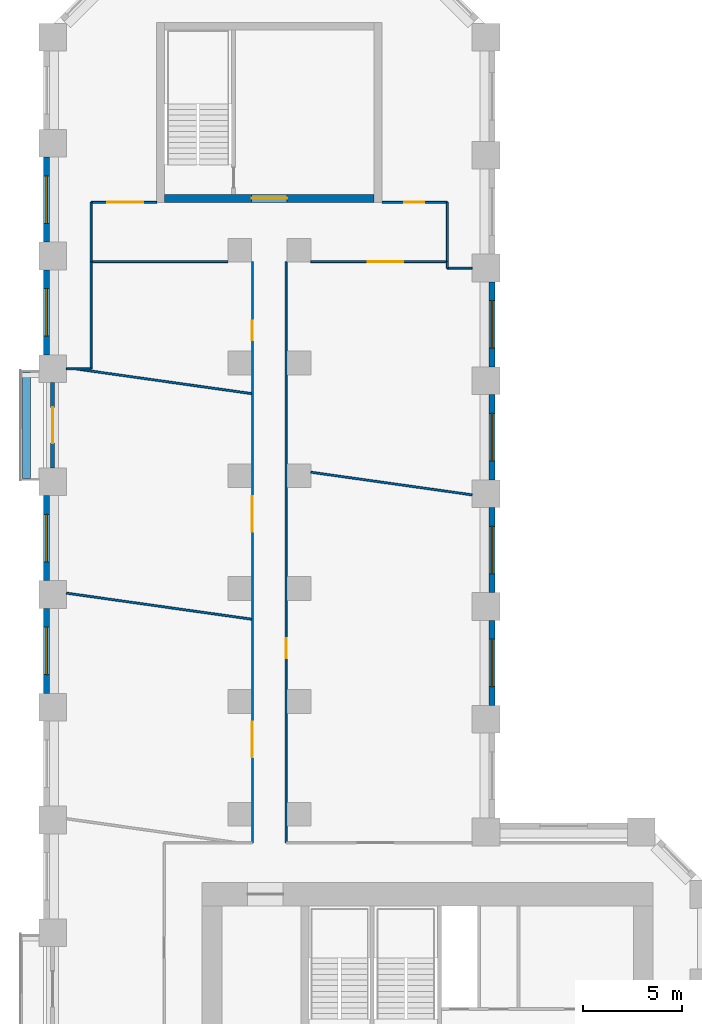
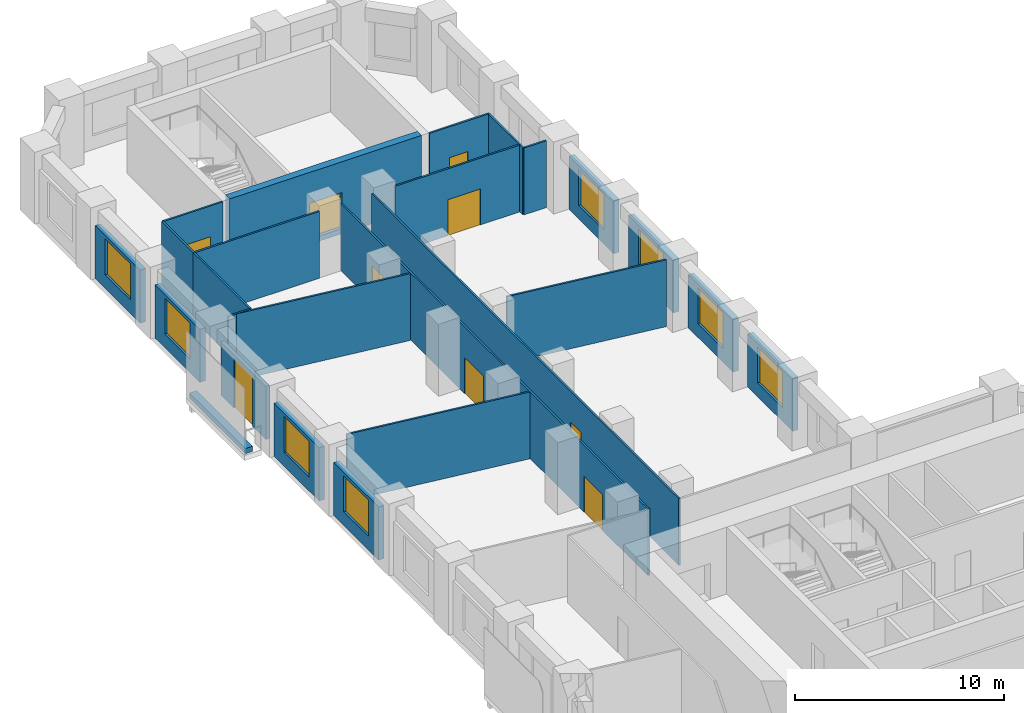
# One storey, part 8 of 11: 26 walls, 9 doors, 8 windows, 17 openings.
"""IFC4 building model written with IfcOpenShell, lengths in metres."""

from ifc_helpers import new_model, si_unit, direction, frame, frame_2d, origin, place, context, subcontext, project, spatial, rectangle, extrude, material, layer, layer_set, type_object, element, fill, save


model = new_model("IFC4")

# Units and contexts
model_context = context("Model", 3, precision=1e-05, world=origin(), true_north=direction((0.0, 1.0)))
body_context = subcontext(model_context, "Body", "Model", "MODEL_VIEW")
ifc_project = project(units=[si_unit("LENGTHUNIT", "METRE"), si_unit("AREAUNIT", "SQUARE_METRE"), si_unit("VOLUMEUNIT", "CUBIC_METRE"), si_unit("PLANEANGLEUNIT", "RADIAN"), si_unit("MASSUNIT", "GRAM", prefix="KILO")], contexts=[model_context])

# Site, building, storey
site_placement = place(None, origin())
site = spatial("IfcSite", under=ifc_project, at=site_placement, CompositionType="ELEMENT")
building_placement = place(site_placement, origin())
building = spatial("IfcBuilding", under=site, at=building_placement, Name="Meshkara Civic Tower", CompositionType="ELEMENT")
storey_placement = place(building_placement, frame((0.0, 0.0, 79.199951171875)))
storey = spatial("IfcBuildingStorey", under=building, at=storey_placement, Name="L17", CompositionType="ELEMENT", Elevation=79.199951171875)

# Walls
ifc_material_1 = material(Name="Corridor wall 100")
ifc_layer_1 = layer(ifc_material_1, 0.10009765625)
ifc_layer_set_1 = layer_set([ifc_layer_1], Name="Corridor wall 100")
wall_type_1 = type_object("IfcWallType", Name="Corridor wall 100", PredefinedType="PARTITIONING", material=ifc_layer_set_1)
wall_1_placement = place(storey_placement, frame((2.39990234375, 68.27001953125, 0.0), z_axis=(0.0, 0.0, 1.0), x_axis=(1.0, 0.0, 0.0)))
element("IfcWall", 1, at=wall_1_placement, inside=storey, type_object=wall_type_1, Name="L17-W001", PredefinedType="PARTITIONING", context=body_context, shape_type="SweptSolid", body=[
    extrude(rectangle(XDim=6.900146484375, YDim=0.10009765625, at=frame_2d((3.4501953125, 0.0))), origin(), (0.0, 0.0, 1.0), 3.900146484375),
])
wall_2_placement = place(storey_placement, frame((2.39990234375, 71.27001953125, 0.0), z_axis=(0.0, 0.0, 1.0), x_axis=(0.0, -1.0, 0.0)))
element("IfcWall", 2, at=wall_2_placement, inside=storey, type_object=wall_type_1, Name="L17-W002", PredefinedType="PARTITIONING", context=body_context, shape_type="SweptSolid", body=[
    extrude(rectangle(XDim=3.0, YDim=0.10009765625, at=frame_2d((1.5, 0.0))), origin(), (0.0, 0.0, 1.0), 3.900146484375),
])

# Wall, opening, door
wall_3_placement = place(storey_placement, frame((5.699951171875, 71.27001953125, 0.0), z_axis=(0.0, 0.0, 1.0), x_axis=(-1.0, 0.0, 0.0)))
wall_3 = element("IfcWall", 3, at=wall_3_placement, inside=storey, type_object=wall_type_1, Name="L17-W003", PredefinedType="PARTITIONING", context=body_context, shape_type="SweptSolid", body=[
    extrude(rectangle(XDim=3.300048828125, YDim=0.10009765625, at=frame_2d((1.64990234375, 0.0))), origin(), (0.0, 0.0, 1.0), 3.900146484375),
])
opening_1_placement = place(wall_3_placement, frame((0.679931640625, 0.0, 0.0)))
opening_1 = element("IfcOpeningElement", 4, at=opening_1_placement, cuts=wall_3, Name="Opening L17-D025", PredefinedType="OPENING", context=body_context, shape_type="SweptSolid", body=[
    extrude(rectangle(XDim=1.800048828125, YDim=2.10009765625, at=frame_2d((0.89990234375, 1.050048828125))), frame((0.0, 0.06005859375, 0.0), z_axis=(0.0, -1.0, 0.0), x_axis=(1.0, 0.0, 0.0)), (0.0, 0.0, 1.0), 0.1201171875),
])
ifc_material_2 = material(Name="Door pair 1800 x 2100")
door_type_1 = type_object("IfcDoorType", Name="Door pair 1800 x 2100", OperationType="SINGLE_SWING_LEFT", PredefinedType="DOOR", material=ifc_material_2)
door_1_placement = place(opening_1_placement, origin())
door_1 = element("IfcDoor", 5, at=door_1_placement, inside=storey, type_object=door_type_1, Name="L17-D025", OperationType="DOUBLE_DOOR_SINGLE_SWING", OverallHeight=2.10009765625, OverallWidth=1.800048828125, PredefinedType="DOOR", context=body_context, shape_type="SweptSolid", body=[
    extrude(rectangle(XDim=1.800048828125, YDim=2.10009765625, at=frame_2d((0.89990234375, 1.050048828125))), frame((0.0, 0.02490234375, 0.0), z_axis=(0.0, -1.0, 0.0), x_axis=(1.0, 0.0, 0.0)), (0.0, 0.0, 1.0), 0.050048828125),
])
fill(opening_1, door_1)

# Wall, openings, doors
wall_4_placement = place(storey_placement, frame((10.550048828125, 68.27001953125, 0.0), z_axis=(0.0, 0.0, 1.0), x_axis=(0.0, -1.0, 0.0)))
wall_4 = element("IfcWall", 6, at=wall_4_placement, inside=storey, type_object=wall_type_1, Name="L17-W012", PredefinedType="PARTITIONING", context=body_context, shape_type="SweptSolid", body=[
    extrude(rectangle(XDim=29.3701171875, YDim=0.10009765625, at=frame_2d((14.68505859375, 0.0))), origin(), (0.0, 0.0, 1.0), 3.900146484375),
])
opening_2_placement = place(wall_4_placement, frame((23.2451171875, 0.0, 0.0)))
opening_2 = element("IfcOpeningElement", 7, at=opening_2_placement, cuts=wall_4, Name="Opening L17-D021", PredefinedType="OPENING", context=body_context, shape_type="SweptSolid", body=[
    extrude(rectangle(XDim=1.800048828125, YDim=2.10009765625, at=frame_2d((0.89990234375, 1.050048828125))), frame((0.0, 0.06005859375, 0.0), z_axis=(0.0, -1.0, 0.0), x_axis=(1.0, 0.0, 0.0)), (0.0, 0.0, 1.0), 0.1201171875),
])
opening_3_placement = place(wall_4_placement, frame((11.844970703125, 0.0, 0.0)))
opening_3 = element("IfcOpeningElement", 8, at=opening_3_placement, cuts=wall_4, Name="Opening L17-D023", PredefinedType="OPENING", context=body_context, shape_type="SweptSolid", body=[
    extrude(rectangle(XDim=1.800048828125, YDim=2.10009765625, at=frame_2d((0.89990234375, 1.050048828125))), frame((0.0, 0.06005859375, 0.0), z_axis=(0.0, -1.0, 0.0), x_axis=(1.0, 0.0, 0.0)), (0.0, 0.0, 1.0), 0.1201171875),
])
opening_4_placement = place(wall_4_placement, frame((2.97998046875, 0.0, 0.0)))
opening_4 = element("IfcOpeningElement", 9, at=opening_4_placement, cuts=wall_4, Name="Opening L17-D024", PredefinedType="OPENING", context=body_context, shape_type="SweptSolid", body=[
    extrude(rectangle(XDim=1.0, YDim=2.10009765625, at=frame_2d((0.5, 1.050048828125))), frame((0.0, 0.06005859375, 0.0), z_axis=(0.0, -1.0, 0.0), x_axis=(1.0, 0.0, 0.0)), (0.0, 0.0, 1.0), 0.1201171875),
])
ifc_material_3 = material(Name="Door 1000 x 2100")
door_type_2 = type_object("IfcDoorType", Name="Door 1000 x 2100", OperationType="SINGLE_SWING_LEFT", PredefinedType="DOOR", material=ifc_material_3)
door_2_placement = place(opening_4_placement, origin())
door_2 = element("IfcDoor", 10, at=door_2_placement, inside=storey, type_object=door_type_2, Name="L17-D024", OperationType="SINGLE_SWING_LEFT", OverallHeight=2.10009765625, OverallWidth=1.0, PredefinedType="DOOR", context=body_context, shape_type="SweptSolid", body=[
    extrude(rectangle(XDim=1.0, YDim=2.10009765625, at=frame_2d((0.5, 1.050048828125))), frame((0.0, 0.02490234375, 0.0), z_axis=(0.0, -1.0, 0.0), x_axis=(1.0, 0.0, 0.0)), (0.0, 0.0, 1.0), 0.050048828125),
])
fill(opening_4, door_2)
door_3_placement = place(opening_2_placement, origin())
door_3 = element("IfcDoor", 11, at=door_3_placement, inside=storey, type_object=door_type_1, Name="L17-D021", OperationType="DOUBLE_DOOR_SINGLE_SWING", OverallHeight=2.10009765625, OverallWidth=1.800048828125, PredefinedType="DOOR", context=body_context, shape_type="SweptSolid", body=[
    extrude(rectangle(XDim=1.800048828125, YDim=2.10009765625, at=frame_2d((0.89990234375, 1.050048828125))), frame((0.0, 0.02490234375, 0.0), z_axis=(0.0, -1.0, 0.0), x_axis=(1.0, 0.0, 0.0)), (0.0, 0.0, 1.0), 0.050048828125),
])
fill(opening_2, door_3)
door_4_placement = place(opening_3_placement, origin())
door_4 = element("IfcDoor", 12, at=door_4_placement, inside=storey, type_object=door_type_1, Name="L17-D023", OperationType="DOUBLE_DOOR_SINGLE_SWING", OverallHeight=2.10009765625, OverallWidth=1.800048828125, PredefinedType="DOOR", context=body_context, shape_type="SweptSolid", body=[
    extrude(rectangle(XDim=1.800048828125, YDim=2.10009765625, at=frame_2d((0.89990234375, 1.050048828125))), frame((0.0, 0.02490234375, 0.0), z_axis=(0.0, -1.0, 0.0), x_axis=(1.0, 0.0, 0.0)), (0.0, 0.0, 1.0), 0.050048828125),
])
fill(opening_3, door_4)

# Wall, opening, door
wall_5_placement = place(storey_placement, frame((12.25, 68.27001953125, 0.0), z_axis=(0.0, 0.0, 1.0), x_axis=(0.0, -1.0, 0.0)))
wall_5 = element("IfcWall", 13, at=wall_5_placement, inside=storey, type_object=wall_type_1, Name="L17-W013", PredefinedType="PARTITIONING", context=body_context, shape_type="SweptSolid", body=[
    extrude(rectangle(XDim=29.3701171875, YDim=0.10009765625, at=frame_2d((14.68505859375, 0.0))), origin(), (0.0, 0.0, 1.0), 3.900146484375),
])
opening_5_placement = place(wall_5_placement, frame((19.0419921875, 0.0, 0.0)))
opening_5 = element("IfcOpeningElement", 14, at=opening_5_placement, cuts=wall_5, Name="Opening L17-D022", PredefinedType="OPENING", context=body_context, shape_type="SweptSolid", body=[
    extrude(rectangle(XDim=1.0, YDim=2.10009765625, at=frame_2d((0.5, 1.050048828125))), frame((0.0, 0.06005859375, 0.0), z_axis=(0.0, -1.0, 0.0), x_axis=(1.0, 0.0, 0.0)), (0.0, 0.0, 1.0), 0.1201171875),
])
door_5_placement = place(opening_5_placement, origin())
door_5 = element("IfcDoor", 15, at=door_5_placement, inside=storey, type_object=door_type_2, Name="L17-D022", OperationType="SINGLE_SWING_LEFT", OverallHeight=2.10009765625, OverallWidth=1.0, PredefinedType="DOOR", context=body_context, shape_type="SweptSolid", body=[
    extrude(rectangle(XDim=1.0, YDim=2.10009765625, at=frame_2d((0.5, 1.050048828125))), frame((0.0, 0.02490234375, 0.0), z_axis=(0.0, -1.0, 0.0), x_axis=(1.0, 0.0, 0.0)), (0.0, 0.0, 1.0), 0.050048828125),
])
fill(opening_5, door_5)

wall_6_placement = place(storey_placement, frame((13.5, 68.27001953125, 0.0), z_axis=(0.0, 0.0, 1.0), x_axis=(1.0, 0.0, 0.0)))
wall_6 = element("IfcWall", 16, at=wall_6_placement, inside=storey, type_object=wall_type_1, Name="L17-W015", PredefinedType="PARTITIONING", context=body_context, shape_type="SweptSolid", body=[
    extrude(rectangle(XDim=6.89990234375, YDim=0.10009765625, at=frame_2d((3.449951171875, 0.0))), origin(), (0.0, 0.0, 1.0), 3.900146484375),
])
opening_6_placement = place(wall_6_placement, frame((2.8798828125, 0.0, 0.0)))
opening_6 = element("IfcOpeningElement", 17, at=opening_6_placement, cuts=wall_6, Name="Opening L17-D026", PredefinedType="OPENING", context=body_context, shape_type="SweptSolid", body=[
    extrude(rectangle(XDim=1.800048828125, YDim=2.10009765625, at=frame_2d((0.89990234375, 1.050048828125))), frame((0.0, 0.06005859375, 0.0), z_axis=(0.0, -1.0, 0.0), x_axis=(1.0, 0.0, 0.0)), (0.0, 0.0, 1.0), 0.1201171875),
])
door_6_placement = place(opening_6_placement, origin())
door_6 = element("IfcDoor", 18, at=door_6_placement, inside=storey, type_object=door_type_1, Name="L17-D026", OperationType="DOUBLE_DOOR_SINGLE_SWING", OverallHeight=2.10009765625, OverallWidth=1.800048828125, PredefinedType="DOOR", context=body_context, shape_type="SweptSolid", body=[
    extrude(rectangle(XDim=1.800048828125, YDim=2.10009765625, at=frame_2d((0.89990234375, 1.050048828125))), frame((0.0, 0.02490234375, 0.0), z_axis=(0.0, -1.0, 0.0), x_axis=(1.0, 0.0, 0.0)), (0.0, 0.0, 1.0), 0.050048828125),
])
fill(opening_6, door_6)

# Wall
wall_7_placement = place(storey_placement, frame((20.39990234375, 68.27001953125, 0.0), z_axis=(0.0, 0.0, 1.0), x_axis=(0.0, 1.0, 0.0)))
element("IfcWall", 19, at=wall_7_placement, inside=storey, type_object=wall_type_1, Name="L17-W016", PredefinedType="PARTITIONING", context=body_context, shape_type="SweptSolid", body=[
    extrude(rectangle(XDim=3.0, YDim=0.10009765625, at=frame_2d((1.5, 0.0))), origin(), (0.0, 0.0, 1.0), 3.900146484375),
])

# Wall, opening, door
wall_8_placement = place(storey_placement, frame((20.39990234375, 71.27001953125, 0.0), z_axis=(0.0, 0.0, 1.0), x_axis=(-1.0, 0.0, 0.0)))
wall_8 = element("IfcWall", 20, at=wall_8_placement, inside=storey, type_object=wall_type_1, Name="L17-W017", PredefinedType="PARTITIONING", context=body_context, shape_type="SweptSolid", body=[
    extrude(rectangle(XDim=3.2998046875, YDim=0.10009765625, at=frame_2d((1.64990234375, 0.0))), origin(), (0.0, 0.0, 1.0), 3.900146484375),
])
opening_7_placement = place(wall_8_placement, frame((1.179931640625, 0.0, 0.0)))
opening_7 = element("IfcOpeningElement", 21, at=opening_7_placement, cuts=wall_8, Name="Opening L17-D027", PredefinedType="OPENING", context=body_context, shape_type="SweptSolid", body=[
    extrude(rectangle(XDim=1.0, YDim=2.10009765625, at=frame_2d((0.5, 1.050048828125))), frame((0.0, 0.06005859375, 0.0), z_axis=(0.0, -1.0, 0.0), x_axis=(1.0, 0.0, 0.0)), (0.0, 0.0, 1.0), 0.1201171875),
])
door_7_placement = place(opening_7_placement, origin())
door_7 = element("IfcDoor", 22, at=door_7_placement, inside=storey, type_object=door_type_2, Name="L17-D027", OperationType="SINGLE_SWING_LEFT", OverallHeight=2.10009765625, OverallWidth=1.0, PredefinedType="DOOR", context=body_context, shape_type="SweptSolid", body=[
    extrude(rectangle(XDim=1.0, YDim=2.10009765625, at=frame_2d((0.5, 1.050048828125))), frame((0.0, 0.02490234375, 0.0), z_axis=(0.0, -1.0, 0.0), x_axis=(1.0, 0.0, 0.0)), (0.0, 0.0, 1.0), 0.050048828125),
])
fill(opening_7, door_7)

# Wall, opening, window
ifc_material_4 = material(Name="Insulated infill panel with bronze anodised aluminium cladding", Category="aluminium")
ifc_layer_2 = layer(ifc_material_4, 0.300048828125)
ifc_layer_set_2 = layer_set([ifc_layer_2], Name="EXTERNAL INFILL WALL 300")
wall_type_2 = type_object("IfcWallType", Name="EXTERNAL INFILL WALL 300", PredefinedType="SOLIDWALL", material=ifc_layer_set_2)
wall_9_placement = place(storey_placement, frame((22.64990234375, 45.85009765625, 0.0), z_axis=(0.0, 0.0, 1.0), x_axis=(0.0, 1.0, 0.0)))
wall_9 = element("IfcWall", 23, at=wall_9_placement, inside=storey, type_object=wall_type_2, Name="External wall", PredefinedType="SOLIDWALL", context=body_context, shape_type="SweptSolid", body=[
    extrude(rectangle(XDim=4.2998046875, YDim=0.300048828125, at=frame_2d((2.14990234375, 0.0))), origin(), (0.0, 0.0, 1.0), 3.10009765625),
])
opening_8_placement = place(wall_9_placement, frame((0.949951171875, 0.0, 0.800048828125)))
opening_8 = element("IfcOpeningElement", 24, at=opening_8_placement, cuts=wall_9, Name="Opening W7", PredefinedType="OPENING", context=body_context, shape_type="SweptSolid", body=[
    extrude(rectangle(XDim=2.39990234375, YDim=2.10009765625, at=frame_2d((1.199951171875, 1.050048828125))), frame((0.0, 0.159912109375, 0.0), z_axis=(0.0, -1.0, 0.0), x_axis=(1.0, 0.0, 0.0)), (0.0, 0.0, 1.0), 0.320068359375),
])
ifc_material_5 = material(Name="Tinted double glazing", Category="glass")
window_type = type_object("IfcWindowType", Name="WINDOW 2400x2100", PartitioningType="DOUBLE_PANEL_VERTICAL", PredefinedType="WINDOW", material=ifc_material_5)
window_1_placement = place(opening_8_placement, origin())
window_1 = element("IfcWindow", 25, at=window_1_placement, inside=storey, type_object=window_type, Name="Window", OverallHeight=2.10009765625, OverallWidth=2.39990234375, PartitioningType="DOUBLE_PANEL_VERTICAL", PredefinedType="WINDOW", context=body_context, shape_type="SweptSolid", body=[
    extrude(rectangle(XDim=2.39990234375, YDim=2.10009765625, at=frame_2d((1.199951171875, 1.050048828125))), frame((0.0, 0.030029296875, 0.0), z_axis=(0.0, -1.0, 0.0), x_axis=(1.0, 0.0, 0.0)), (0.0, 0.0, 1.0), 0.06005859375),
])
fill(opening_8, window_1)

wall_10_placement = place(storey_placement, frame((22.64990234375, 51.550048828125, 0.0), z_axis=(0.0, 0.0, 1.0), x_axis=(0.0, 1.0, 0.0)))
wall_10 = element("IfcWall", 26, at=wall_10_placement, inside=storey, type_object=wall_type_2, Name="External wall", PredefinedType="SOLIDWALL", context=body_context, shape_type="SweptSolid", body=[
    extrude(rectangle(XDim=4.300048828125, YDim=0.300048828125, at=frame_2d((2.14990234375, 0.0))), origin(), (0.0, 0.0, 1.0), 3.10009765625),
])
opening_9_placement = place(wall_10_placement, frame((0.949951171875, 0.0, 0.800048828125)))
opening_9 = element("IfcOpeningElement", 27, at=opening_9_placement, cuts=wall_10, Name="Opening W7", PredefinedType="OPENING", context=body_context, shape_type="SweptSolid", body=[
    extrude(rectangle(XDim=2.39990234375, YDim=2.10009765625, at=frame_2d((1.199951171875, 1.050048828125))), frame((0.0, 0.159912109375, 0.0), z_axis=(0.0, -1.0, 0.0), x_axis=(1.0, 0.0, 0.0)), (0.0, 0.0, 1.0), 0.320068359375),
])
window_2_placement = place(opening_9_placement, origin())
window_2 = element("IfcWindow", 28, at=window_2_placement, inside=storey, type_object=window_type, Name="Window", OverallHeight=2.10009765625, OverallWidth=2.39990234375, PartitioningType="DOUBLE_PANEL_VERTICAL", PredefinedType="WINDOW", context=body_context, shape_type="SweptSolid", body=[
    extrude(rectangle(XDim=2.39990234375, YDim=2.10009765625, at=frame_2d((1.199951171875, 1.050048828125))), frame((0.0, 0.030029296875, 0.0), z_axis=(0.0, -1.0, 0.0), x_axis=(1.0, 0.0, 0.0)), (0.0, 0.0, 1.0), 0.06005859375),
])
fill(opening_9, window_2)

wall_11_placement = place(storey_placement, frame((22.64990234375, 57.25, 0.0), z_axis=(0.0, 0.0, 1.0), x_axis=(0.0, 1.0, 0.0)))
wall_11 = element("IfcWall", 29, at=wall_11_placement, inside=storey, type_object=wall_type_2, Name="External wall", PredefinedType="SOLIDWALL", context=body_context, shape_type="SweptSolid", body=[
    extrude(rectangle(XDim=4.300048828125, YDim=0.300048828125, at=frame_2d((2.14990234375, 0.0))), origin(), (0.0, 0.0, 1.0), 3.10009765625),
])
opening_10_placement = place(wall_11_placement, frame((0.949951171875, 0.0, 0.800048828125)))
opening_10 = element("IfcOpeningElement", 30, at=opening_10_placement, cuts=wall_11, Name="Opening W7", PredefinedType="OPENING", context=body_context, shape_type="SweptSolid", body=[
    extrude(rectangle(XDim=2.39990234375, YDim=2.10009765625, at=frame_2d((1.199951171875, 1.050048828125))), frame((0.0, 0.159912109375, 0.0), z_axis=(0.0, -1.0, 0.0), x_axis=(1.0, 0.0, 0.0)), (0.0, 0.0, 1.0), 0.320068359375),
])
window_3_placement = place(opening_10_placement, origin())
window_3 = element("IfcWindow", 31, at=window_3_placement, inside=storey, type_object=window_type, Name="Window", OverallHeight=2.10009765625, OverallWidth=2.39990234375, PartitioningType="DOUBLE_PANEL_VERTICAL", PredefinedType="WINDOW", context=body_context, shape_type="SweptSolid", body=[
    extrude(rectangle(XDim=2.39990234375, YDim=2.10009765625, at=frame_2d((1.199951171875, 1.050048828125))), frame((0.0, 0.030029296875, 0.0), z_axis=(0.0, -1.0, 0.0), x_axis=(1.0, 0.0, 0.0)), (0.0, 0.0, 1.0), 0.06005859375),
])
fill(opening_10, window_3)

wall_12_placement = place(storey_placement, frame((22.64990234375, 62.949951171875, 0.0), z_axis=(0.0, 0.0, 1.0), x_axis=(0.0, 1.0, 0.0)))
wall_12 = element("IfcWall", 32, at=wall_12_placement, inside=storey, type_object=wall_type_2, Name="External wall", PredefinedType="SOLIDWALL", context=body_context, shape_type="SweptSolid", body=[
    extrude(rectangle(XDim=4.300048828125, YDim=0.300048828125, at=frame_2d((2.14990234375, 0.0))), origin(), (0.0, 0.0, 1.0), 3.10009765625),
])
opening_11_placement = place(wall_12_placement, frame((0.949951171875, 0.0, 0.800048828125)))
opening_11 = element("IfcOpeningElement", 33, at=opening_11_placement, cuts=wall_12, Name="Opening W7", PredefinedType="OPENING", context=body_context, shape_type="SweptSolid", body=[
    extrude(rectangle(XDim=2.39990234375, YDim=2.10009765625, at=frame_2d((1.199951171875, 1.050048828125))), frame((0.0, 0.159912109375, 0.0), z_axis=(0.0, -1.0, 0.0), x_axis=(1.0, 0.0, 0.0)), (0.0, 0.0, 1.0), 0.320068359375),
])
window_4_placement = place(opening_11_placement, origin())
window_4 = element("IfcWindow", 34, at=window_4_placement, inside=storey, type_object=window_type, Name="Window", OverallHeight=2.10009765625, OverallWidth=2.39990234375, PartitioningType="DOUBLE_PANEL_VERTICAL", PredefinedType="WINDOW", context=body_context, shape_type="SweptSolid", body=[
    extrude(rectangle(XDim=2.39990234375, YDim=2.10009765625, at=frame_2d((1.199951171875, 1.050048828125))), frame((0.0, 0.030029296875, 0.0), z_axis=(0.0, -1.0, 0.0), x_axis=(1.0, 0.0, 0.0)), (0.0, 0.0, 1.0), 0.06005859375),
])
fill(opening_11, window_4)

wall_13_placement = place(storey_placement, frame((0.14990234375, 73.554931640625, 0.0), z_axis=(0.0, 0.0, 1.0), x_axis=(0.0, -1.0, 0.0)))
wall_13 = element("IfcWall", 35, at=wall_13_placement, inside=storey, type_object=wall_type_2, Name="External wall", PredefinedType="SOLIDWALL", context=body_context, shape_type="SweptSolid", body=[
    extrude(rectangle(XDim=4.300048828125, YDim=0.300048828125, at=frame_2d((2.14990234375, 0.0))), origin(), (0.0, 0.0, 1.0), 3.10009765625),
])
opening_12_placement = place(wall_13_placement, frame((0.949951171875, 0.0, 0.800048828125)))
opening_12 = element("IfcOpeningElement", 36, at=opening_12_placement, cuts=wall_13, Name="Opening W7", PredefinedType="OPENING", context=body_context, shape_type="SweptSolid", body=[
    extrude(rectangle(XDim=2.39990234375, YDim=2.10009765625, at=frame_2d((1.199951171875, 1.050048828125))), frame((0.0, 0.159912109375, 0.0), z_axis=(0.0, -1.0, 0.0), x_axis=(1.0, 0.0, 0.0)), (0.0, 0.0, 1.0), 0.320068359375),
])
window_5_placement = place(opening_12_placement, origin())
window_5 = element("IfcWindow", 37, at=window_5_placement, inside=storey, type_object=window_type, Name="Window", OverallHeight=2.10009765625, OverallWidth=2.39990234375, PartitioningType="DOUBLE_PANEL_VERTICAL", PredefinedType="WINDOW", context=body_context, shape_type="SweptSolid", body=[
    extrude(rectangle(XDim=2.39990234375, YDim=2.10009765625, at=frame_2d((1.199951171875, 1.050048828125))), frame((0.0, 0.030029296875, 0.0), z_axis=(0.0, -1.0, 0.0), x_axis=(1.0, 0.0, 0.0)), (0.0, 0.0, 1.0), 0.06005859375),
])
fill(opening_12, window_5)

wall_14_placement = place(storey_placement, frame((0.14990234375, 67.85498046875, 0.0), z_axis=(0.0, 0.0, 1.0), x_axis=(0.0, -1.0, 0.0)))
wall_14 = element("IfcWall", 38, at=wall_14_placement, inside=storey, type_object=wall_type_2, Name="External wall", PredefinedType="SOLIDWALL", context=body_context, shape_type="SweptSolid", body=[
    extrude(rectangle(XDim=4.300048828125, YDim=0.300048828125, at=frame_2d((2.14990234375, 0.0))), origin(), (0.0, 0.0, 1.0), 3.10009765625),
])
opening_13_placement = place(wall_14_placement, frame((0.949951171875, 0.0, 0.800048828125)))
opening_13 = element("IfcOpeningElement", 39, at=opening_13_placement, cuts=wall_14, Name="Opening W7", PredefinedType="OPENING", context=body_context, shape_type="SweptSolid", body=[
    extrude(rectangle(XDim=2.39990234375, YDim=2.10009765625, at=frame_2d((1.199951171875, 1.050048828125))), frame((0.0, 0.159912109375, 0.0), z_axis=(0.0, -1.0, 0.0), x_axis=(1.0, 0.0, 0.0)), (0.0, 0.0, 1.0), 0.320068359375),
])
window_6_placement = place(opening_13_placement, origin())
window_6 = element("IfcWindow", 40, at=window_6_placement, inside=storey, type_object=window_type, Name="Window", OverallHeight=2.10009765625, OverallWidth=2.39990234375, PartitioningType="DOUBLE_PANEL_VERTICAL", PredefinedType="WINDOW", context=body_context, shape_type="SweptSolid", body=[
    extrude(rectangle(XDim=2.39990234375, YDim=2.10009765625, at=frame_2d((1.199951171875, 1.050048828125))), frame((0.0, 0.030029296875, 0.0), z_axis=(0.0, -1.0, 0.0), x_axis=(1.0, 0.0, 0.0)), (0.0, 0.0, 1.0), 0.06005859375),
])
fill(opening_13, window_6)

wall_15_placement = place(storey_placement, frame((0.14990234375, 56.455078125, 0.0), z_axis=(0.0, 0.0, 1.0), x_axis=(0.0, -1.0, 0.0)))
wall_15 = element("IfcWall", 41, at=wall_15_placement, inside=storey, type_object=wall_type_2, Name="External wall", PredefinedType="SOLIDWALL", context=body_context, shape_type="SweptSolid", body=[
    extrude(rectangle(XDim=4.300048828125, YDim=0.300048828125, at=frame_2d((2.14990234375, 0.0))), origin(), (0.0, 0.0, 1.0), 3.10009765625),
])
opening_14_placement = place(wall_15_placement, frame((0.949951171875, 0.0, 0.800048828125)))
opening_14 = element("IfcOpeningElement", 42, at=opening_14_placement, cuts=wall_15, Name="Opening W7", PredefinedType="OPENING", context=body_context, shape_type="SweptSolid", body=[
    extrude(rectangle(XDim=2.39990234375, YDim=2.10009765625, at=frame_2d((1.199951171875, 1.050048828125))), frame((0.0, 0.159912109375, 0.0), z_axis=(0.0, -1.0, 0.0), x_axis=(1.0, 0.0, 0.0)), (0.0, 0.0, 1.0), 0.320068359375),
])
window_7_placement = place(opening_14_placement, origin())
window_7 = element("IfcWindow", 43, at=window_7_placement, inside=storey, type_object=window_type, Name="Window", OverallHeight=2.10009765625, OverallWidth=2.39990234375, PartitioningType="DOUBLE_PANEL_VERTICAL", PredefinedType="WINDOW", context=body_context, shape_type="SweptSolid", body=[
    extrude(rectangle(XDim=2.39990234375, YDim=2.10009765625, at=frame_2d((1.199951171875, 1.050048828125))), frame((0.0, 0.030029296875, 0.0), z_axis=(0.0, -1.0, 0.0), x_axis=(1.0, 0.0, 0.0)), (0.0, 0.0, 1.0), 0.06005859375),
])
fill(opening_14, window_7)

wall_16_placement = place(storey_placement, frame((0.14990234375, 50.7548828125, 0.0), z_axis=(0.0, 0.0, 1.0), x_axis=(0.0, -1.0, 0.0)))
wall_16 = element("IfcWall", 44, at=wall_16_placement, inside=storey, type_object=wall_type_2, Name="External wall", PredefinedType="SOLIDWALL", context=body_context, shape_type="SweptSolid", body=[
    extrude(rectangle(XDim=4.2998046875, YDim=0.300048828125, at=frame_2d((2.14990234375, 0.0))), origin(), (0.0, 0.0, 1.0), 3.10009765625),
])
opening_15_placement = place(wall_16_placement, frame((0.949951171875, 0.0, 0.800048828125)))
opening_15 = element("IfcOpeningElement", 45, at=opening_15_placement, cuts=wall_16, Name="Opening W7", PredefinedType="OPENING", context=body_context, shape_type="SweptSolid", body=[
    extrude(rectangle(XDim=2.39990234375, YDim=2.10009765625, at=frame_2d((1.199951171875, 1.050048828125))), frame((0.0, 0.159912109375, 0.0), z_axis=(0.0, -1.0, 0.0), x_axis=(1.0, 0.0, 0.0)), (0.0, 0.0, 1.0), 0.320068359375),
])
window_8_placement = place(opening_15_placement, origin())
window_8 = element("IfcWindow", 46, at=window_8_placement, inside=storey, type_object=window_type, Name="Window", OverallHeight=2.10009765625, OverallWidth=2.39990234375, PartitioningType="DOUBLE_PANEL_VERTICAL", PredefinedType="WINDOW", context=body_context, shape_type="SweptSolid", body=[
    extrude(rectangle(XDim=2.39990234375, YDim=2.10009765625, at=frame_2d((1.199951171875, 1.050048828125))), frame((0.0, 0.030029296875, 0.0), z_axis=(0.0, -1.0, 0.0), x_axis=(1.0, 0.0, 0.0)), (0.0, 0.0, 1.0), 0.06005859375),
])
fill(opening_15, window_8)

# Wall, opening, door
ifc_material_6 = material(Name="Concrete C80", Category="concrete")
ifc_layer_3 = layer(ifc_material_6, 0.39990234375)
ifc_layer_set_3 = layer_set([ifc_layer_3], Name="End core ring wall 400 C80")
wall_type_3 = type_object("IfcWallType", Name="End core ring wall 400 C80", PredefinedType="SHEAR", material=ifc_layer_set_3)
wall_17_placement = place(storey_placement, frame((6.10009765625, 71.469970703125, -0.300048828125), z_axis=(0.0, 0.0, 1.0), x_axis=(1.0, 0.0, 0.0)))
wall_17 = element("IfcWall", 47, at=wall_17_placement, inside=storey, type_object=wall_type_3, Name="L17-C028", PredefinedType="SHEAR", context=body_context, shape_type="SweptSolid", body=[
    extrude(rectangle(XDim=10.599853515625, YDim=0.39990234375, at=frame_2d((5.2998046875, 0.0))), origin(), (0.0, 0.0, 1.0), 4.2001953125),
])
opening_16_placement = place(wall_17_placement, frame((4.39990234375, 0.0, 0.300048828125)))
opening_16 = element("IfcOpeningElement", 48, at=opening_16_placement, cuts=wall_17, Name="Opening L17-K102", PredefinedType="OPENING", context=body_context, shape_type="SweptSolid", body=[
    extrude(rectangle(XDim=1.800048828125, YDim=2.10009765625, at=frame_2d((0.89990234375, 1.050048828125))), frame((0.0, 0.2099609375, 0.0), z_axis=(0.0, -1.0, 0.0), x_axis=(1.0, 0.0, 0.0)), (0.0, 0.0, 1.0), 0.419921875),
])
ifc_material_7 = material(Name="Fire-rated door leaf in steel frame", Category="steel")
door_type_3 = type_object("IfcDoorType", Name="Core double door 1800 EI 60", OperationType="DOUBLE_DOOR_SINGLE_SWING", PredefinedType="DOOR", material=ifc_material_7)
door_8_placement = place(opening_16_placement, origin())
door_8 = element("IfcDoor", 49, at=door_8_placement, inside=storey, type_object=door_type_3, Name="L17-K102", OperationType="DOUBLE_DOOR_SINGLE_SWING", OverallHeight=2.10009765625, OverallWidth=1.800048828125, PredefinedType="DOOR", context=body_context, shape_type="SweptSolid", body=[
    extrude(rectangle(XDim=1.800048828125, YDim=2.10009765625, at=frame_2d((0.89990234375, 1.050048828125))), frame((0.0, 0.02490234375, 0.0), z_axis=(0.0, -1.0, 0.0), x_axis=(1.0, 0.0, 0.0)), (0.0, 0.0, 1.0), 0.050048828125),
])
fill(opening_16, door_8)

ifc_material_8 = material(Name="Insulated infill panel with bronze anodised aluminium cladding", Category="aluminium")
ifc_layer_4 = layer(ifc_material_8, 0.199951171875)
ifc_layer_set_4 = layer_set([ifc_layer_4], Name="LOGGIA BACK WALL 200")
wall_type_4 = type_object("IfcWallType", Name="LOGGIA BACK WALL 200", PredefinedType="SOLIDWALL", material=ifc_layer_set_4)
wall_18_placement = place(storey_placement, frame((0.449951171875, 62.154052734375, 0.0), z_axis=(0.0, 0.0, 1.0), x_axis=(0.0, -1.0, 0.0)))
wall_18 = element("IfcWall", 50, at=wall_18_placement, inside=storey, type_object=wall_type_4, Name="Loggia wall", PredefinedType="SOLIDWALL", context=body_context, shape_type="SweptSolid", body=[
    extrude(rectangle(XDim=4.299072265625, YDim=0.199951171875, at=frame_2d((2.1494140625, 0.0))), origin(), (0.0, 0.0, 1.0), 3.10009765625),
])
opening_17_placement = place(wall_18_placement, frame((1.25, 0.0, 0.0)))
opening_17 = element("IfcOpeningElement", 51, at=opening_17_placement, cuts=wall_18, Name="Opening L17-L001", PredefinedType="OPENING", context=body_context, shape_type="SweptSolid", body=[
    extrude(rectangle(XDim=1.800048828125, YDim=2.89990234375, at=frame_2d((0.89990234375, 1.449951171875))), frame((0.0, 0.10986328125, 0.0), z_axis=(0.0, -1.0, 0.0), x_axis=(1.0, 0.0, 0.0)), (0.0, 0.0, 1.0), 0.219970703125),
])
ifc_material_9 = material(Name="Tinted double glazing", Category="glass")
door_type_4 = type_object("IfcDoorType", Name="LOGGIA DOOR 1800x2900", OperationType="DOUBLE_DOOR_SINGLE_SWING", PredefinedType="DOOR", material=ifc_material_9)
door_9_placement = place(opening_17_placement, origin())
door_9 = element("IfcDoor", 52, at=door_9_placement, inside=storey, type_object=door_type_4, Name="L17-L001", OperationType="DOUBLE_DOOR_SINGLE_SWING", OverallHeight=2.89990234375, OverallWidth=1.800048828125, PredefinedType="DOOR", context=body_context, shape_type="SweptSolid", body=[
    extrude(rectangle(XDim=1.800048828125, YDim=2.89990234375, at=frame_2d((0.89990234375, 1.449951171875))), frame((0.0, 0.02490234375, 0.0), z_axis=(0.0, -1.0, 0.0), x_axis=(1.0, 0.0, 0.0)), (0.0, 0.0, 1.0), 0.050048828125),
])
fill(opening_17, door_9)

# Walls
ifc_material_10 = material(Name="Concrete C40", Category="concrete")
ifc_layer_5 = layer(ifc_material_10, 0.39990234375)
ifc_layer_set_5 = layer_set([ifc_layer_5], Name="PLANTER TRAY")
wall_type_5 = type_object("IfcWallType", Name="PLANTER TRAY", PredefinedType="SOLIDWALL", material=ifc_layer_set_5)
wall_19_placement = place(storey_placement, frame((-0.8798828125, 62.68505859375, 0.0), z_axis=(0.0, 0.0, 1.0), x_axis=(0.0, -1.0, 0.0)))
element("IfcWall", 53, at=wall_19_placement, inside=storey, type_object=wall_type_5, Name="Planter", PredefinedType="SOLIDWALL", context=body_context, shape_type="SweptSolid", body=[
    extrude(rectangle(XDim=5.360107421875, YDim=0.39990234375, at=frame_2d((2.68017578125, 0.0))), origin(), (0.0, 0.0, 1.0), 0.300048828125),
])
ifc_material_11 = material(Name="Partition 100")
ifc_layer_6 = layer(ifc_material_11, 0.10009765625)
ifc_layer_set_6 = layer_set([ifc_layer_6], Name="Partition 100")
wall_type_6 = type_object("IfcWallType", Name="Partition 100", PredefinedType="PARTITIONING", material=ifc_layer_set_6)
wall_20_placement = place(storey_placement, frame((1.14990234375, 62.85498046875, 0.0), z_axis=(0.0, 0.0, 1.0), x_axis=(1.0, 0.0, 0.0)))
element("IfcWall", 54, at=wall_20_placement, inside=storey, type_object=wall_type_6, Name="L17-W033", PredefinedType="PARTITIONING", context=body_context, shape_type="SweptSolid", body=[
    extrude(rectangle(XDim=1.25, YDim=0.10009765625, at=frame_2d((0.625, 0.0))), origin(), (0.0, 0.0, 1.0), 3.900146484375),
])
wall_21_placement = place(storey_placement, frame((2.39990234375, 62.85498046875, 0.0), z_axis=(0.0, 0.0, 1.0), x_axis=(0.0, 1.0, 0.0)))
element("IfcWall", 55, at=wall_21_placement, inside=storey, type_object=wall_type_6, Name="L17-W034", PredefinedType="PARTITIONING", context=body_context, shape_type="SweptSolid", body=[
    extrude(rectangle(XDim=5.4189453125, YDim=0.10009765625, at=frame_2d((2.70947265625, 0.0))), origin(), (0.0, 0.0, 1.0), 3.900146484375),
])
wall_22_placement = place(storey_placement, frame((10.492919921875, 50.205078125, 0.0), z_axis=(0.0, 0.0, 1.0), x_axis=(-0.990255073415, 0.139265536207, 0.0)))
element("IfcWall", 56, at=wall_22_placement, inside=storey, type_object=wall_type_6, Name="L17-W040", PredefinedType="PARTITIONING", context=body_context, shape_type="SweptSolid", body=[
    extrude(rectangle(XDim=9.43505859375, YDim=0.10009765625, at=frame_2d((4.717529296875, 0.0))), origin(), (0.0, 0.0, 1.0), 3.900146484375),
])
wall_23_placement = place(storey_placement, frame((10.492919921875, 61.60498046875, 0.0), z_axis=(0.0, 0.0, 1.0), x_axis=(-0.990260855441, 0.139224416615, 0.0)))
element("IfcWall", 57, at=wall_23_placement, inside=storey, type_object=wall_type_6, Name="L17-W041", PredefinedType="PARTITIONING", context=body_context, shape_type="SweptSolid", body=[
    extrude(rectangle(XDim=8.978271484375, YDim=0.10009765625, at=frame_2d((4.4892578125, 0.0))), origin(), (0.0, 0.0, 1.0), 3.900146484375),
])
wall_24_placement = place(storey_placement, frame((20.39990234375, 67.949951171875, 0.0), z_axis=(0.0, 0.0, 1.0), x_axis=(0.0, 1.0, 0.0)))
element("IfcWall", 58, at=wall_24_placement, inside=storey, type_object=wall_type_6, Name="L17-W042", PredefinedType="PARTITIONING", context=body_context, shape_type="SweptSolid", body=[
    extrude(rectangle(XDim=0.323974609375, YDim=0.10009765625, at=frame_2d((0.162109375, 0.0))), origin(), (0.0, 0.0, 1.0), 3.900146484375),
])
wall_25_placement = place(storey_placement, frame((21.64990234375, 56.486083984375, 0.0), z_axis=(0.0, 0.0, 1.0), x_axis=(-0.990257984954, 0.139244831987, 0.0)))
element("IfcWall", 59, at=wall_25_placement, inside=storey, type_object=wall_type_6, Name="L17-W043", PredefinedType="PARTITIONING", context=body_context, shape_type="SweptSolid", body=[
    extrude(rectangle(XDim=8.22998046875, YDim=0.10009765625, at=frame_2d((4.114990234375, 0.0))), origin(), (0.0, 0.0, 1.0), 3.900146484375),
])
wall_26_placement = place(storey_placement, frame((21.64990234375, 67.949951171875, 0.0), z_axis=(0.0, 0.0, 1.0), x_axis=(-1.0, 0.0, 0.0)))
element("IfcWall", 60, at=wall_26_placement, inside=storey, type_object=wall_type_6, Name="L17-W044", PredefinedType="PARTITIONING", context=body_context, shape_type="SweptSolid", body=[
    extrude(rectangle(XDim=1.25, YDim=0.10009765625, at=frame_2d((0.625, 0.0))), origin(), (0.0, 0.0, 1.0), 3.900146484375),
])

save(model, "model.ifc")
